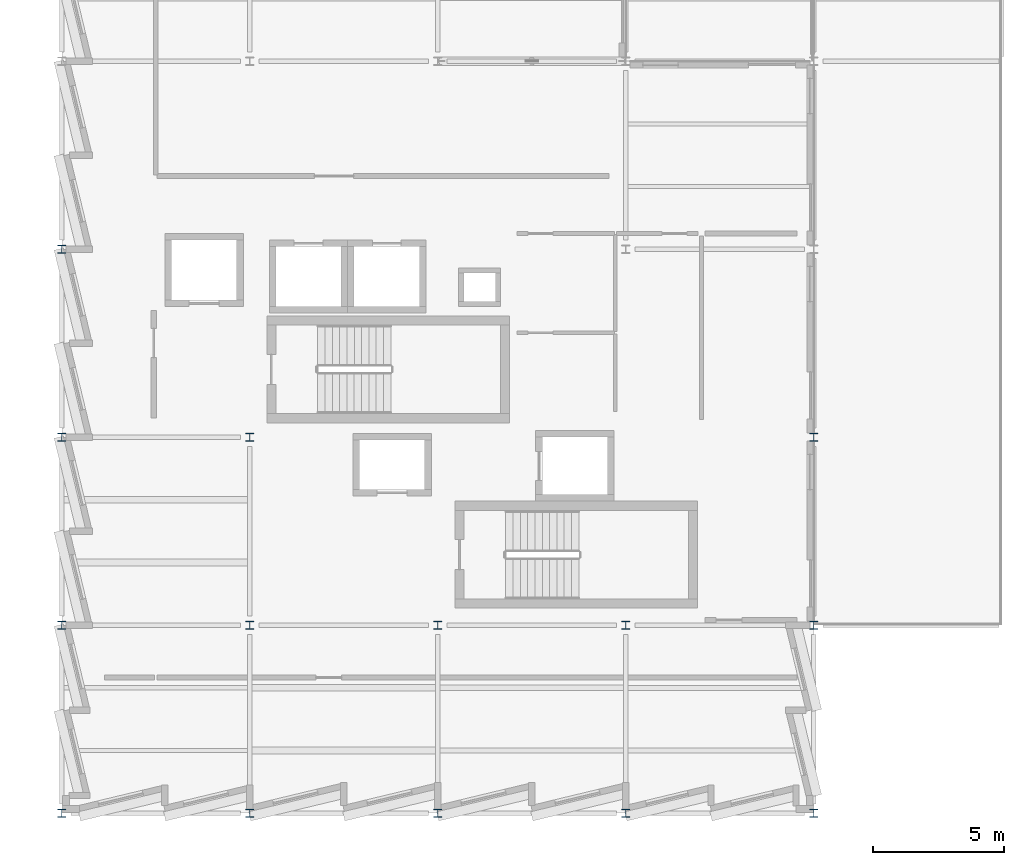
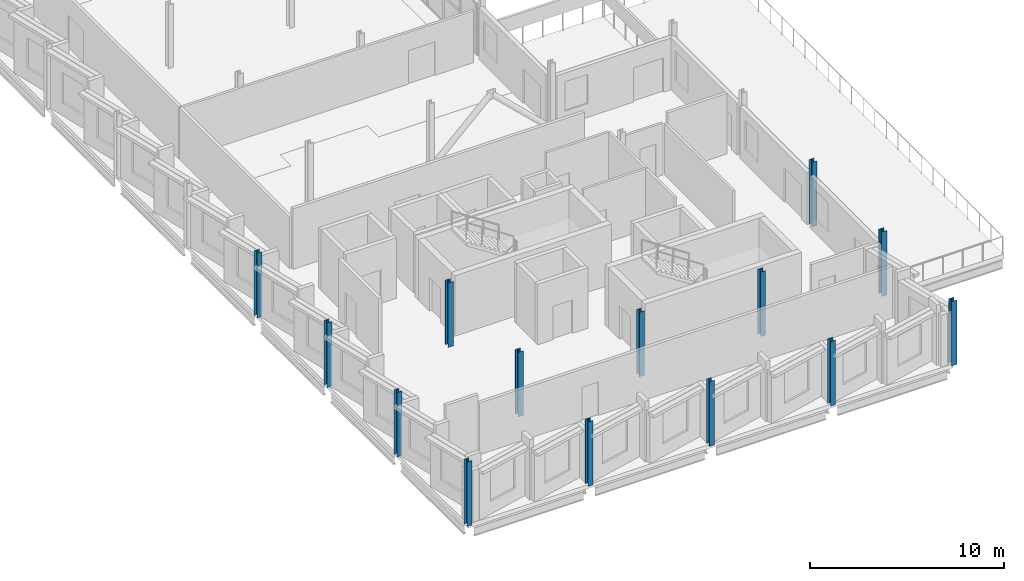
# One storey, part 1 of 18: 14 columns.
"""IFC4 building model written with IfcOpenShell, lengths in metres."""

from ifc_helpers import new_model, si_unit, direction, frame, origin, origin_2d, place, context, subcontext, project, spatial, i_section, extrude, material, material_profile, profile_set, type_object, element, save


model = new_model("IFC4")

# Units and contexts
model_context = context("Model", 3, precision=1e-05, world=origin(), true_north=direction((0.0, 1.0)))
body_context = subcontext(model_context, "Body", "Model", "MODEL_VIEW")
ifc_project = project(units=[si_unit("LENGTHUNIT", "METRE"), si_unit("AREAUNIT", "SQUARE_METRE"), si_unit("VOLUMEUNIT", "CUBIC_METRE"), si_unit("PLANEANGLEUNIT", "RADIAN"), si_unit("MASSUNIT", "GRAM", prefix="KILO")], contexts=[model_context])

# Site, building, storey
site_placement = place(None, origin())
site = spatial("IfcSite", under=ifc_project, at=site_placement, CompositionType="ELEMENT")
building_placement = place(site_placement, origin())
building = spatial("IfcBuilding", under=site, at=building_placement, Name="Kalmorath City Hall", CompositionType="ELEMENT")
storey_placement = place(building_placement, frame((0.0, 0.0, 27.0)))
storey = spatial("IfcBuildingStorey", under=building, at=storey_placement, Name="L06", CompositionType="ELEMENT", Elevation=27.0)

# Columns
ifc_material = material(Name="Steel ASTM A992 Grade 50", Category="steel")
ifc_material_profile = material_profile(ifc_material, i_section(OverallWidth=0.304931640625, OverallDepth=0.30810546875, WebThickness=0.010009765625, FlangeThickness=0.015380859375, FilletRadius=0.014892578125, at=origin_2d()), Name="W12X65")
ifc_profile_set = profile_set([ifc_material_profile], Name="Steel ASTM A992 Grade 50")
column_type = type_object("IfcColumnType", Name="Steel wide-flange column W12X65", PredefinedType="COLUMN", material=ifc_profile_set)
for number, where, z_axis, x_axis, name in (
    (1, (0.0, 0.0, 0.0), (0.0, 0.0, 1.0), (1.0, 0.0, 0.0), "L06 column SC5 (1/1)"),
    (2, (0.0, 7.199951171875, 0.0), (0.0, 0.0, 1.0), (1.0, 0.0, 0.0), "L06 column SC5 (1/2)"),
    (3, (0.0, 14.39990234375, 0.0), (0.0, 0.0, 1.0), (1.0, 0.0, 0.0), "L06 column SC5 (1/3)"),
    (4, (0.0, 21.60009765625, 0.0), (0.0, 0.0, 1.0), (1.0, 0.0, 0.0), "L06 column SC5 (1/4)"),
    (5, (7.199951171875, 0.0, 0.0), (0.0, 0.0, 1.0), (1.0, 0.0, 0.0), "L06 column SC5 (2/1)"),
    (6, (7.199951171875, 7.199951171875, 0.0), (0.0, 0.0, 1.0), (1.0, 0.0, 0.0), "L06 column SC5 (2/2)"),
    (7, (7.199951171875, 14.39990234375, 0.0), (0.0, 0.0, 1.0), (1.0, 0.0, 0.0), "L06 column SC5 (2/3)"),
    (8, (14.39990234375, 0.0, 0.0), (0.0, 0.0, 1.0), (1.0, 0.0, 0.0), "L06 column SC5 (3/1)"),
    (9, (14.39990234375, 7.199951171875, 0.0), (0.0, 0.0, 1.0), (1.0, 0.0, 0.0), "L06 column SC5 (3/2)"),
    (10, (21.60009765625, 0.0, 0.0), (0.0, 0.0, 1.0), (1.0, 0.0, 0.0), "L06 column SC5 (4/1)"),
    (11, (21.60009765625, 7.199951171875, 0.0), (0.0, 0.0, 1.0), (1.0, 0.0, 0.0), "L06 column SC5 (4/2)"),
    (12, (28.800048828125, 0.0, 0.0), (0.0, 0.0, 1.0), (1.0, 0.0, 0.0), "L06 column SC5 (5/1)"),
    (13, (28.800048828125, 7.199951171875, 0.0), (0.0, 0.0, 1.0), (1.0, 0.0, 0.0), "L06 column SC5 (5/2)"),
    (14, (28.800048828125, 14.39990234375, 0.0), (0.0, 0.0, 1.0), (1.0, 0.0, 0.0), "L06 column SC5 (5/3)"),
):
    element("IfcColumn", number, at=place(storey_placement, frame(where, z_axis=z_axis, x_axis=x_axis)), inside=storey, type_object=column_type, Name=name, PredefinedType="COLUMN", context=body_context, shape_type="SweptSolid", body=[
        extrude(i_section(OverallWidth=0.304931640625, OverallDepth=0.30810546875, WebThickness=0.010009765625, FlangeThickness=0.015380859375, FilletRadius=0.014892578125, at=origin_2d()), origin(), (0.0, 0.0, 1.0), 4.050048828125),
    ])

save(model, "model.ifc")
